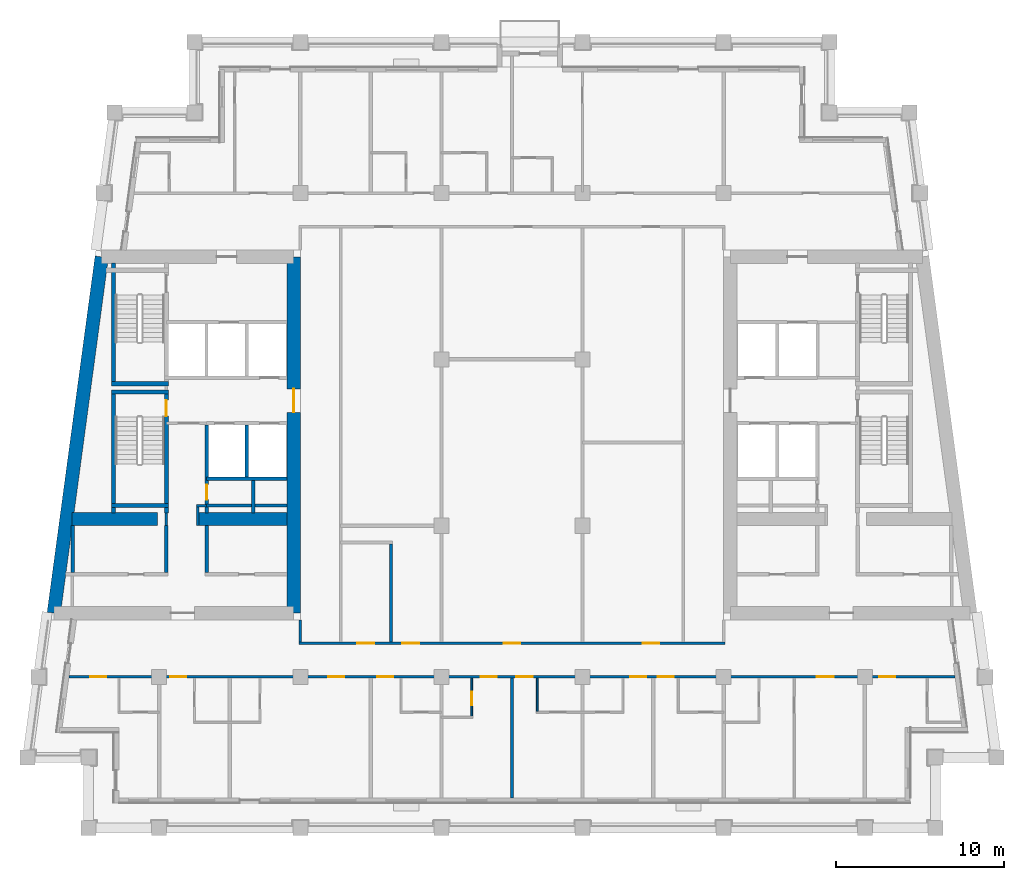
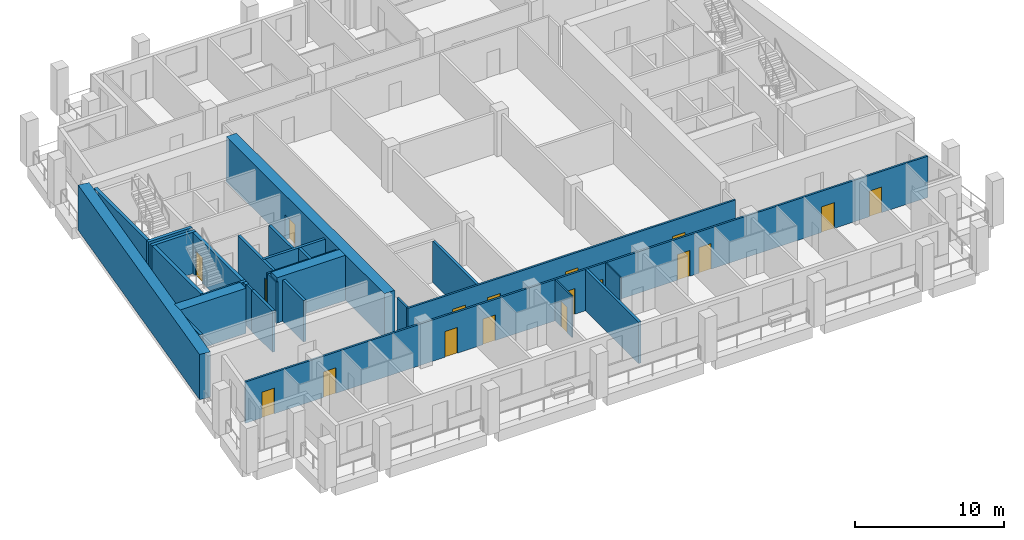
# One storey, part 3 of 12: 28 walls, 18 doors, 18 openings.
"""IFC4 building model written with IfcOpenShell, lengths in metres."""

from ifc_helpers import new_model, si_unit, direction, frame, frame_2d, origin, place, context, subcontext, project, spatial, rectangle, extrude, material, layer, layer_set, type_object, element, fill, save


model = new_model("IFC4")

# Units and contexts
model_context = context("Model", 3, precision=1e-05, world=origin(), true_north=direction((0.0, 1.0)))
body_context = subcontext(model_context, "Body", "Model", "MODEL_VIEW")
ifc_project = project(units=[si_unit("LENGTHUNIT", "METRE"), si_unit("AREAUNIT", "SQUARE_METRE"), si_unit("VOLUMEUNIT", "CUBIC_METRE"), si_unit("PLANEANGLEUNIT", "RADIAN"), si_unit("MASSUNIT", "GRAM", prefix="KILO")], contexts=[model_context])

# Site, building, storey
site_placement = place(None, origin())
site = spatial("IfcSite", under=ifc_project, at=site_placement, CompositionType="ELEMENT")
building_placement = place(site_placement, origin())
building = spatial("IfcBuilding", under=site, at=building_placement, Name="Candeia Pilgrim Tower and Theatre", CompositionType="ELEMENT")
storey_placement = place(building_placement, frame((0.0, 0.0, 213.300048828125)))
storey = spatial("IfcBuildingStorey", under=building, at=storey_placement, Name="L51", CompositionType="ELEMENT", Elevation=213.300048828125)

# Wall, opening, door
ifc_material_1 = material(Name="Concrete C50/60", Category="concrete")
ifc_layer_1 = layer(ifc_material_1, 0.800048828125)
ifc_layer_set_1 = layer_set([ifc_layer_1], Name="Core wall 800 C50/60")
wall_type_1 = type_object("IfcWallType", Name="Core wall 800 C50/60", PredefinedType="SHEAR", material=ifc_layer_set_1)
wall_1_placement = place(storey_placement, frame((100.39990234375, 132.0, 0.0), z_axis=(0.0, 0.0, 1.0), x_axis=(0.0, -1.0, 0.0)))
wall_1 = element("IfcWall", 1, at=wall_1_placement, inside=storey, type_object=wall_type_1, Name="Core wall W2", PredefinedType="SHEAR", context=body_context, shape_type="SweptSolid", body=[
    extrude(rectangle(XDim=21.199951171875, YDim=0.800048828125, at=frame_2d((10.60009765625, 0.0))), origin(), (0.0, 0.0, 1.0), 3.699951171875),
])
opening_1_placement = place(wall_1_placement, frame((7.85009765625, 0.0, 0.0)))
opening_1 = element("IfcOpeningElement", 2, at=opening_1_placement, cuts=wall_1, Name="Opening L51-D055", PredefinedType="OPENING", context=body_context, shape_type="SweptSolid", body=[
    extrude(rectangle(XDim=1.39990234375, YDim=2.10009765625, at=frame_2d((0.699951171875, 1.050048828125))), frame((0.0, 0.41015625, 0.0), z_axis=(0.0, -1.0, 0.0), x_axis=(1.0, 0.0, 0.0)), (0.0, 0.0, 1.0), 0.820068359375),
])
ifc_material_2 = material(Name="Steel fire door set", Category="steel")
door_type_1 = type_object("IfcDoorType", Name="D-1400-FD60", OperationType="NOTDEFINED", PredefinedType="DOOR", material=ifc_material_2)
door_1_placement = place(opening_1_placement, origin())
door_1 = element("IfcDoor", 3, at=door_1_placement, inside=storey, type_object=door_type_1, Name="Door L51-D055", OperationType="SINGLE_SWING_RIGHT", OverallHeight=2.10009765625, OverallWidth=1.39990234375, PredefinedType="DOOR", context=body_context, shape_type="SweptSolid", body=[
    extrude(rectangle(XDim=1.39990234375, YDim=2.10009765625, at=frame_2d((0.699951171875, 1.050048828125))), frame((0.0, 0.02490234375, 0.0), z_axis=(0.0, -1.0, 0.0), x_axis=(1.0, 0.0, 0.0)), (0.0, 0.0, 1.0), 0.050048828125),
])
fill(opening_1, door_1)

# Walls
wall_2_placement = place(storey_placement, frame((86.126708984375, 110.800048828125, 0.0), z_axis=(0.0, 0.0, 1.0), x_axis=(0.133408347329, 0.991061154956, 0.0)))
element("IfcWall", 4, at=wall_2_placement, inside=storey, type_object=wall_type_1, Name="Core wall W4", PredefinedType="SHEAR", context=body_context, shape_type="SweptSolid", body=[
    extrude(rectangle(XDim=21.39111328125, YDim=0.800048828125, at=frame_2d((10.695556640625, 0.0))), origin(), (0.0, 0.0, 1.0), 3.699951171875),
])
wall_3_placement = place(storey_placement, frame((87.22314453125, 116.39990234375, 0.0), z_axis=(0.0, 0.0, 1.0), x_axis=(1.0, 0.0, 0.0)))
element("IfcWall", 5, at=wall_3_placement, inside=storey, type_object=wall_type_1, Name="Core wall W5", PredefinedType="SHEAR", context=body_context, shape_type="SweptSolid", body=[
    extrude(rectangle(XDim=5.076904296875, YDim=0.800048828125, at=frame_2d((2.53857421875, 0.0))), origin(), (0.0, 0.0, 1.0), 3.699951171875),
])
wall_4_placement = place(storey_placement, frame((94.699951171875, 116.39990234375, 0.0), z_axis=(0.0, 0.0, 1.0), x_axis=(1.0, 0.0, 0.0)))
element("IfcWall", 6, at=wall_4_placement, inside=storey, type_object=wall_type_1, Name="Core wall W6", PredefinedType="SHEAR", context=body_context, shape_type="SweptSolid", body=[
    extrude(rectangle(XDim=5.300048828125, YDim=0.800048828125, at=frame_2d((2.64990234375, 0.0))), origin(), (0.0, 0.0, 1.0), 3.699951171875),
])

# Wall, opening, door
ifc_material_3 = material(Name="Gypsum board partition on steel studs", Category="steel")
ifc_layer_2 = layer(ifc_material_3, 0.10009765625)
ifc_layer_set_2 = layer_set([ifc_layer_2], Name="PW-100 room partition")
wall_type_2 = type_object("IfcWallType", Name="PW-100 room partition", PredefinedType="PARTITIONING", material=ifc_layer_set_2)
wall_5_placement = place(storey_placement, frame((111.0, 104.64990234375, 0.0), z_axis=(0.0, 0.0, 1.0), x_axis=(0.0, 1.0, 0.0)))
wall_5 = element("IfcWall", 7, at=wall_5_placement, inside=storey, type_object=wall_type_2, Name="Room partition L51-084", PredefinedType="PARTITIONING", context=body_context, shape_type="SweptSolid", body=[
    extrude(rectangle(XDim=2.275146484375, YDim=0.10009765625, at=frame_2d((1.1376953125, 0.0))), origin(), (0.0, 0.0, 1.0), 3.3798828125),
])
opening_2_placement = place(wall_5_placement, frame((0.659912109375, 0.0, 0.0)))
opening_2 = element("IfcOpeningElement", 8, at=opening_2_placement, cuts=wall_5, Name="Opening L51-D022", PredefinedType="OPENING", context=body_context, shape_type="SweptSolid", body=[
    extrude(rectangle(XDim=0.800048828125, YDim=2.10009765625, at=frame_2d((0.39990234375, 1.050048828125))), frame((0.0, 0.06005859375, 0.0), z_axis=(0.0, -1.0, 0.0), x_axis=(1.0, 0.0, 0.0)), (0.0, 0.0, 1.0), 0.1201171875),
])
ifc_material_4 = material(Name="Timber door leaf", Category="wood")
door_type_2 = type_object("IfcDoorType", Name="D-800", OperationType="NOTDEFINED", PredefinedType="DOOR", material=ifc_material_4)
door_2_placement = place(opening_2_placement, origin())
door_2 = element("IfcDoor", 9, at=door_2_placement, inside=storey, type_object=door_type_2, Name="Door L51-D022", OperationType="SINGLE_SWING_LEFT", OverallHeight=2.10009765625, OverallWidth=0.800048828125, PredefinedType="DOOR", context=body_context, shape_type="SweptSolid", body=[
    extrude(rectangle(XDim=0.800048828125, YDim=2.10009765625, at=frame_2d((0.39990234375, 1.050048828125))), frame((0.0, 0.02490234375, 0.0), z_axis=(0.0, -1.0, 0.0), x_axis=(1.0, 0.0, 0.0)), (0.0, 0.0, 1.0), 0.050048828125),
])
fill(opening_2, door_2)

# Walls
wall_6_placement = place(storey_placement, frame((114.89990234375, 104.949951171875, 0.0), z_axis=(0.0, 0.0, 1.0), x_axis=(0.0, 1.0, 0.0)))
element("IfcWall", 10, at=wall_6_placement, inside=storey, type_object=wall_type_2, Name="Room partition L51-088", PredefinedType="PARTITIONING", context=body_context, shape_type="SweptSolid", body=[
    extrude(rectangle(XDim=1.97509765625, YDim=0.10009765625, at=frame_2d((0.987548828125, 0.0))), origin(), (0.0, 0.0, 1.0), 3.3798828125),
])
ifc_layer_3 = layer(ifc_material_3, 0.14990234375)
ifc_layer_set_3 = layer_set([ifc_layer_3], Name="PW-150 lobby wall")
wall_type_3 = type_object("IfcWallType", Name="PW-150 lobby wall", PredefinedType="PARTITIONING", material=ifc_layer_set_3)
wall_7_placement = place(storey_placement, frame((94.625, 117.199951171875, 0.0), z_axis=(0.0, 0.0, 1.0), x_axis=(1.0, 0.0, 0.0)))
element("IfcWall", 11, at=wall_7_placement, inside=storey, type_object=wall_type_3, Name="Lobby wall L51-019", PredefinedType="PARTITIONING", context=body_context, shape_type="SweptSolid", body=[
    extrude(rectangle(XDim=0.60205078125, YDim=0.14990234375, at=frame_2d((0.301025390625, 0.0))), origin(), (0.0, 0.0, 1.0), 3.3798828125),
])
wall_8_placement = place(storey_placement, frame((92.826904296875, 116.0, 0.0), z_axis=(0.0, 0.0, 1.0), x_axis=(0.0, 1.0, 0.0)))
element("IfcWall", 12, at=wall_8_placement, inside=storey, type_object=wall_type_3, Name="Lobby wall L51-056", PredefinedType="PARTITIONING", context=body_context, shape_type="SweptSolid", body=[
    extrude(rectangle(XDim=0.77001953125, YDim=0.14990234375, at=frame_2d((0.385009765625, 0.0))), origin(), (0.0, 0.0, 1.0), 3.3798828125),
])
wall_9_placement = place(storey_placement, frame((94.699951171875, 116.0, 0.0), z_axis=(0.0, 0.0, 1.0), x_axis=(0.0, 1.0, 0.0)))
element("IfcWall", 13, at=wall_9_placement, inside=storey, type_object=wall_type_3, Name="Lobby wall L51-062", PredefinedType="PARTITIONING", context=body_context, shape_type="SweptSolid", body=[
    extrude(rectangle(XDim=1.125, YDim=0.14990234375, at=frame_2d((0.5625, 0.0))), origin(), (0.0, 0.0, 1.0), 3.3798828125),
])

# Wall, openings, doors
ifc_layer_4 = layer(ifc_material_3, 0.14990234375)
ifc_layer_set_4 = layer_set([ifc_layer_4], Name="PW-150 unit wall")
wall_type_4 = type_object("IfcWallType", Name="PW-150 unit wall", PredefinedType="PARTITIONING", material=ifc_layer_set_4)
wall_10_placement = place(storey_placement, frame((87.017578125, 107.0, 0.0), z_axis=(0.0, 0.0, 1.0), x_axis=(1.0, 0.0, 0.0)))
wall_10 = element("IfcWall", 14, at=wall_10_placement, inside=storey, type_object=wall_type_4, Name="Unit wall L51-009", PredefinedType="PARTITIONING", context=body_context, shape_type="SweptSolid", body=[
    extrude(rectangle(XDim=52.7646484375, YDim=0.14990234375, at=frame_2d((26.38232421875, 0.0))), origin(), (0.0, 0.0, 1.0), 3.3798828125),
])
opening_3_placement = place(wall_10_placement, frame((1.2763671875, 0.0, 0.0)))
opening_3 = element("IfcOpeningElement", 15, at=opening_3_placement, cuts=wall_10, Name="Opening L51-D013", PredefinedType="OPENING", context=body_context, shape_type="SweptSolid", body=[
    extrude(rectangle(XDim=0.949951171875, YDim=2.10009765625, at=frame_2d((0.47509765625, 1.050048828125))), frame((0.0, 0.0849609375, 0.0), z_axis=(0.0, -1.0, 0.0), x_axis=(1.0, 0.0, 0.0)), (0.0, 0.0, 1.0), 0.169921875),
])
opening_4_placement = place(wall_10_placement, frame((6.0341796875, 0.0, 0.0)))
opening_4 = element("IfcOpeningElement", 16, at=opening_4_placement, cuts=wall_10, Name="Opening L51-D015", PredefinedType="OPENING", context=body_context, shape_type="SweptSolid", body=[
    extrude(rectangle(XDim=0.949951171875, YDim=2.10009765625, at=frame_2d((0.47509765625, 1.050048828125))), frame((0.0, 0.0849609375, 0.0), z_axis=(0.0, -1.0, 0.0), x_axis=(1.0, 0.0, 0.0)), (0.0, 0.0, 1.0), 0.169921875),
])
opening_5_placement = place(wall_10_placement, frame((15.4453125, 0.0, 0.0)))
opening_5 = element("IfcOpeningElement", 17, at=opening_5_placement, cuts=wall_10, Name="Opening L51-D017", PredefinedType="OPENING", context=body_context, shape_type="SweptSolid", body=[
    extrude(rectangle(XDim=0.949951171875, YDim=2.10009765625, at=frame_2d((0.47509765625, 1.050048828125))), frame((0.0, 0.0849609375, 0.0), z_axis=(0.0, -1.0, 0.0), x_axis=(1.0, 0.0, 0.0)), (0.0, 0.0, 1.0), 0.169921875),
])
opening_6_placement = place(wall_10_placement, frame((18.369384765625, 0.0, 0.0)))
opening_6 = element("IfcOpeningElement", 18, at=opening_6_placement, cuts=wall_10, Name="Opening L51-D019", PredefinedType="OPENING", context=body_context, shape_type="SweptSolid", body=[
    extrude(rectangle(XDim=0.949951171875, YDim=2.10009765625, at=frame_2d((0.47509765625, 1.050048828125))), frame((0.0, 0.0849609375, 0.0), z_axis=(0.0, -1.0, 0.0), x_axis=(1.0, 0.0, 0.0)), (0.0, 0.0, 1.0), 0.169921875),
])
opening_7_placement = place(wall_10_placement, frame((24.519287109375, 0.0, 0.0)))
opening_7 = element("IfcOpeningElement", 19, at=opening_7_placement, cuts=wall_10, Name="Opening L51-D021", PredefinedType="OPENING", context=body_context, shape_type="SweptSolid", body=[
    extrude(rectangle(XDim=0.949951171875, YDim=2.10009765625, at=frame_2d((0.47509765625, 1.050048828125))), frame((0.0, 0.0849609375, 0.0), z_axis=(0.0, -1.0, 0.0), x_axis=(1.0, 0.0, 0.0)), (0.0, 0.0, 1.0), 0.169921875),
])
opening_8_placement = place(wall_10_placement, frame((26.63232421875, 0.0, 0.0)))
opening_8 = element("IfcOpeningElement", 20, at=opening_8_placement, cuts=wall_10, Name="Opening L51-D023", PredefinedType="OPENING", context=body_context, shape_type="SweptSolid", body=[
    extrude(rectangle(XDim=1.0, YDim=2.10009765625, at=frame_2d((0.5, 1.050048828125))), frame((0.0, 0.0849609375, 0.0), z_axis=(0.0, -1.0, 0.0), x_axis=(1.0, 0.0, 0.0)), (0.0, 0.0, 1.0), 0.169921875),
])
opening_9_placement = place(wall_10_placement, frame((33.42236328125, 0.0, 0.0)))
opening_9 = element("IfcOpeningElement", 21, at=opening_9_placement, cuts=wall_10, Name="Opening L51-D025", PredefinedType="OPENING", context=body_context, shape_type="SweptSolid", body=[
    extrude(rectangle(XDim=0.949951171875, YDim=2.10009765625, at=frame_2d((0.47509765625, 1.050048828125))), frame((0.0, 0.0849609375, 0.0), z_axis=(0.0, -1.0, 0.0), x_axis=(1.0, 0.0, 0.0)), (0.0, 0.0, 1.0), 0.169921875),
])
opening_10_placement = place(wall_10_placement, frame((35.057373046875, 0.0, 0.0)))
opening_10 = element("IfcOpeningElement", 22, at=opening_10_placement, cuts=wall_10, Name="Opening L51-D027", PredefinedType="OPENING", context=body_context, shape_type="SweptSolid", body=[
    extrude(rectangle(XDim=0.949951171875, YDim=2.10009765625, at=frame_2d((0.47509765625, 1.050048828125))), frame((0.0, 0.0849609375, 0.0), z_axis=(0.0, -1.0, 0.0), x_axis=(1.0, 0.0, 0.0)), (0.0, 0.0, 1.0), 0.169921875),
])
opening_11_placement = place(wall_10_placement, frame((44.5322265625, 0.0, 0.0)))
opening_11 = element("IfcOpeningElement", 23, at=opening_11_placement, cuts=wall_10, Name="Opening L51-D029", PredefinedType="OPENING", context=body_context, shape_type="SweptSolid", body=[
    extrude(rectangle(XDim=1.0, YDim=2.10009765625, at=frame_2d((0.5, 1.050048828125))), frame((0.0, 0.0849609375, 0.0), z_axis=(0.0, -1.0, 0.0), x_axis=(1.0, 0.0, 0.0)), (0.0, 0.0, 1.0), 0.169921875),
])
opening_12_placement = place(wall_10_placement, frame((48.249267578125, 0.0, 0.0)))
opening_12 = element("IfcOpeningElement", 24, at=opening_12_placement, cuts=wall_10, Name="Opening L51-D032", PredefinedType="OPENING", context=body_context, shape_type="SweptSolid", body=[
    extrude(rectangle(XDim=0.949951171875, YDim=2.10009765625, at=frame_2d((0.47509765625, 1.050048828125))), frame((0.0, 0.0849609375, 0.0), z_axis=(0.0, -1.0, 0.0), x_axis=(1.0, 0.0, 0.0)), (0.0, 0.0, 1.0), 0.169921875),
])
door_type_3 = type_object("IfcDoorType", Name="D-1000-FD30S", OperationType="NOTDEFINED", PredefinedType="DOOR", material=ifc_material_2)
door_3_placement = place(opening_8_placement, origin())
door_3 = element("IfcDoor", 25, at=door_3_placement, inside=storey, type_object=door_type_3, Name="Door L51-D023", OperationType="SINGLE_SWING_RIGHT", OverallHeight=2.10009765625, OverallWidth=1.0, PredefinedType="DOOR", context=body_context, shape_type="SweptSolid", body=[
    extrude(rectangle(XDim=1.0, YDim=2.10009765625, at=frame_2d((0.5, 1.050048828125))), frame((0.0, 0.02490234375, 0.0), z_axis=(0.0, -1.0, 0.0), x_axis=(1.0, 0.0, 0.0)), (0.0, 0.0, 1.0), 0.050048828125),
])
fill(opening_8, door_3)
door_4_placement = place(opening_11_placement, origin())
door_4 = element("IfcDoor", 26, at=door_4_placement, inside=storey, type_object=door_type_3, Name="Door L51-D029", OperationType="SINGLE_SWING_RIGHT", OverallHeight=2.10009765625, OverallWidth=1.0, PredefinedType="DOOR", context=body_context, shape_type="SweptSolid", body=[
    extrude(rectangle(XDim=1.0, YDim=2.10009765625, at=frame_2d((0.5, 1.050048828125))), frame((0.0, 0.02490234375, 0.0), z_axis=(0.0, -1.0, 0.0), x_axis=(1.0, 0.0, 0.0)), (0.0, 0.0, 1.0), 0.050048828125),
])
fill(opening_11, door_4)
door_type_4 = type_object("IfcDoorType", Name="D-950-FD30S", OperationType="NOTDEFINED", PredefinedType="DOOR", material=ifc_material_2)
door_5_placement = place(opening_3_placement, origin())
door_5 = element("IfcDoor", 27, at=door_5_placement, inside=storey, type_object=door_type_4, Name="Door L51-D013", OperationType="SINGLE_SWING_RIGHT", OverallHeight=2.10009765625, OverallWidth=0.949951171875, PredefinedType="DOOR", context=body_context, shape_type="SweptSolid", body=[
    extrude(rectangle(XDim=0.949951171875, YDim=2.10009765625, at=frame_2d((0.47509765625, 1.050048828125))), frame((0.0, 0.02490234375, 0.0), z_axis=(0.0, -1.0, 0.0), x_axis=(1.0, 0.0, 0.0)), (0.0, 0.0, 1.0), 0.050048828125),
])
fill(opening_3, door_5)
door_6_placement = place(opening_4_placement, origin())
door_6 = element("IfcDoor", 28, at=door_6_placement, inside=storey, type_object=door_type_4, Name="Door L51-D015", OperationType="SINGLE_SWING_RIGHT", OverallHeight=2.10009765625, OverallWidth=0.949951171875, PredefinedType="DOOR", context=body_context, shape_type="SweptSolid", body=[
    extrude(rectangle(XDim=0.949951171875, YDim=2.10009765625, at=frame_2d((0.47509765625, 1.050048828125))), frame((0.0, 0.02490234375, 0.0), z_axis=(0.0, -1.0, 0.0), x_axis=(1.0, 0.0, 0.0)), (0.0, 0.0, 1.0), 0.050048828125),
])
fill(opening_4, door_6)
door_7_placement = place(opening_5_placement, origin())
door_7 = element("IfcDoor", 29, at=door_7_placement, inside=storey, type_object=door_type_4, Name="Door L51-D017", OperationType="SINGLE_SWING_RIGHT", OverallHeight=2.10009765625, OverallWidth=0.949951171875, PredefinedType="DOOR", context=body_context, shape_type="SweptSolid", body=[
    extrude(rectangle(XDim=0.949951171875, YDim=2.10009765625, at=frame_2d((0.47509765625, 1.050048828125))), frame((0.0, 0.02490234375, 0.0), z_axis=(0.0, -1.0, 0.0), x_axis=(1.0, 0.0, 0.0)), (0.0, 0.0, 1.0), 0.050048828125),
])
fill(opening_5, door_7)
door_8_placement = place(opening_6_placement, origin())
door_8 = element("IfcDoor", 30, at=door_8_placement, inside=storey, type_object=door_type_4, Name="Door L51-D019", OperationType="SINGLE_SWING_RIGHT", OverallHeight=2.10009765625, OverallWidth=0.949951171875, PredefinedType="DOOR", context=body_context, shape_type="SweptSolid", body=[
    extrude(rectangle(XDim=0.949951171875, YDim=2.10009765625, at=frame_2d((0.47509765625, 1.050048828125))), frame((0.0, 0.02490234375, 0.0), z_axis=(0.0, -1.0, 0.0), x_axis=(1.0, 0.0, 0.0)), (0.0, 0.0, 1.0), 0.050048828125),
])
fill(opening_6, door_8)
door_9_placement = place(opening_7_placement, origin())
door_9 = element("IfcDoor", 31, at=door_9_placement, inside=storey, type_object=door_type_4, Name="Door L51-D021", OperationType="SINGLE_SWING_RIGHT", OverallHeight=2.10009765625, OverallWidth=0.949951171875, PredefinedType="DOOR", context=body_context, shape_type="SweptSolid", body=[
    extrude(rectangle(XDim=0.949951171875, YDim=2.10009765625, at=frame_2d((0.47509765625, 1.050048828125))), frame((0.0, 0.02490234375, 0.0), z_axis=(0.0, -1.0, 0.0), x_axis=(1.0, 0.0, 0.0)), (0.0, 0.0, 1.0), 0.050048828125),
])
fill(opening_7, door_9)
door_10_placement = place(opening_9_placement, origin())
door_10 = element("IfcDoor", 32, at=door_10_placement, inside=storey, type_object=door_type_4, Name="Door L51-D025", OperationType="SINGLE_SWING_RIGHT", OverallHeight=2.10009765625, OverallWidth=0.949951171875, PredefinedType="DOOR", context=body_context, shape_type="SweptSolid", body=[
    extrude(rectangle(XDim=0.949951171875, YDim=2.10009765625, at=frame_2d((0.47509765625, 1.050048828125))), frame((0.0, 0.02490234375, 0.0), z_axis=(0.0, -1.0, 0.0), x_axis=(1.0, 0.0, 0.0)), (0.0, 0.0, 1.0), 0.050048828125),
])
fill(opening_9, door_10)
door_11_placement = place(opening_10_placement, origin())
door_11 = element("IfcDoor", 33, at=door_11_placement, inside=storey, type_object=door_type_4, Name="Door L51-D027", OperationType="SINGLE_SWING_RIGHT", OverallHeight=2.10009765625, OverallWidth=0.949951171875, PredefinedType="DOOR", context=body_context, shape_type="SweptSolid", body=[
    extrude(rectangle(XDim=0.949951171875, YDim=2.10009765625, at=frame_2d((0.47509765625, 1.050048828125))), frame((0.0, 0.02490234375, 0.0), z_axis=(0.0, -1.0, 0.0), x_axis=(1.0, 0.0, 0.0)), (0.0, 0.0, 1.0), 0.050048828125),
])
fill(opening_10, door_11)
door_12_placement = place(opening_12_placement, origin())
door_12 = element("IfcDoor", 34, at=door_12_placement, inside=storey, type_object=door_type_4, Name="Door L51-D032", OperationType="SINGLE_SWING_LEFT", OverallHeight=2.10009765625, OverallWidth=0.949951171875, PredefinedType="DOOR", context=body_context, shape_type="SweptSolid", body=[
    extrude(rectangle(XDim=0.949951171875, YDim=2.10009765625, at=frame_2d((0.47509765625, 1.050048828125))), frame((0.0, 0.02490234375, 0.0), z_axis=(0.0, -1.0, 0.0), x_axis=(1.0, 0.0, 0.0)), (0.0, 0.0, 1.0), 0.050048828125),
])
fill(opening_12, door_12)

wall_11_placement = place(storey_placement, frame((100.72509765625, 109.0, 0.0), z_axis=(0.0, 0.0, 1.0), x_axis=(1.0, 0.0, 0.0)))
wall_11 = element("IfcWall", 35, at=wall_11_placement, inside=storey, type_object=wall_type_4, Name="Unit wall L51-010", PredefinedType="PARTITIONING", context=body_context, shape_type="SweptSolid", body=[
    extrude(rectangle(XDim=25.349853515625, YDim=0.14990234375, at=frame_2d((12.6748046875, 0.0))), origin(), (0.0, 0.0, 1.0), 3.3798828125),
])
opening_13_placement = place(wall_11_placement, frame((6.14990234375, 0.0, 0.0)))
opening_13 = element("IfcOpeningElement", 36, at=opening_13_placement, cuts=wall_11, Name="Opening L51-D046", PredefinedType="OPENING", context=body_context, shape_type="SweptSolid", body=[
    extrude(rectangle(XDim=1.0, YDim=2.10009765625, at=frame_2d((0.5, 1.050048828125))), frame((0.0, 0.0849609375, 0.0), z_axis=(0.0, -1.0, 0.0), x_axis=(1.0, 0.0, 0.0)), (0.0, 0.0, 1.0), 0.169921875),
])
opening_14_placement = place(wall_11_placement, frame((3.47509765625, 0.0, 0.0)))
opening_14 = element("IfcOpeningElement", 37, at=opening_14_placement, cuts=wall_11, Name="Opening L51-D047", PredefinedType="OPENING", context=body_context, shape_type="SweptSolid", body=[
    extrude(rectangle(XDim=1.0, YDim=2.10009765625, at=frame_2d((0.5, 1.050048828125))), frame((0.0, 0.0849609375, 0.0), z_axis=(0.0, -1.0, 0.0), x_axis=(1.0, 0.0, 0.0)), (0.0, 0.0, 1.0), 0.169921875),
])
opening_15_placement = place(wall_11_placement, frame((12.175048828125, 0.0, 0.0)))
opening_15 = element("IfcOpeningElement", 38, at=opening_15_placement, cuts=wall_11, Name="Opening L51-D049", PredefinedType="OPENING", context=body_context, shape_type="SweptSolid", body=[
    extrude(rectangle(XDim=1.0, YDim=2.10009765625, at=frame_2d((0.5, 1.050048828125))), frame((0.0, 0.0849609375, 0.0), z_axis=(0.0, -1.0, 0.0), x_axis=(1.0, 0.0, 0.0)), (0.0, 0.0, 1.0), 0.169921875),
])
opening_16_placement = place(wall_11_placement, frame((20.449951171875, 0.0, 0.0)))
opening_16 = element("IfcOpeningElement", 39, at=opening_16_placement, cuts=wall_11, Name="Opening L51-D051", PredefinedType="OPENING", context=body_context, shape_type="SweptSolid", body=[
    extrude(rectangle(XDim=1.0, YDim=2.10009765625, at=frame_2d((0.5, 1.050048828125))), frame((0.0, 0.0849609375, 0.0), z_axis=(0.0, -1.0, 0.0), x_axis=(1.0, 0.0, 0.0)), (0.0, 0.0, 1.0), 0.169921875),
])
door_13_placement = place(opening_13_placement, origin())
door_13 = element("IfcDoor", 40, at=door_13_placement, inside=storey, type_object=door_type_3, Name="Door L51-D046", OperationType="SINGLE_SWING_LEFT", OverallHeight=2.10009765625, OverallWidth=1.0, PredefinedType="DOOR", context=body_context, shape_type="SweptSolid", body=[
    extrude(rectangle(XDim=1.0, YDim=2.10009765625, at=frame_2d((0.5, 1.050048828125))), frame((0.0, 0.02490234375, 0.0), z_axis=(0.0, -1.0, 0.0), x_axis=(1.0, 0.0, 0.0)), (0.0, 0.0, 1.0), 0.050048828125),
])
fill(opening_13, door_13)
door_14_placement = place(opening_14_placement, origin())
door_14 = element("IfcDoor", 41, at=door_14_placement, inside=storey, type_object=door_type_3, Name="Door L51-D047", OperationType="SINGLE_SWING_RIGHT", OverallHeight=2.10009765625, OverallWidth=1.0, PredefinedType="DOOR", context=body_context, shape_type="SweptSolid", body=[
    extrude(rectangle(XDim=1.0, YDim=2.10009765625, at=frame_2d((0.5, 1.050048828125))), frame((0.0, 0.02490234375, 0.0), z_axis=(0.0, -1.0, 0.0), x_axis=(1.0, 0.0, 0.0)), (0.0, 0.0, 1.0), 0.050048828125),
])
fill(opening_14, door_14)
door_15_placement = place(opening_15_placement, origin())
door_15 = element("IfcDoor", 42, at=door_15_placement, inside=storey, type_object=door_type_3, Name="Door L51-D049", OperationType="SINGLE_SWING_RIGHT", OverallHeight=2.10009765625, OverallWidth=1.0, PredefinedType="DOOR", context=body_context, shape_type="SweptSolid", body=[
    extrude(rectangle(XDim=1.0, YDim=2.10009765625, at=frame_2d((0.5, 1.050048828125))), frame((0.0, 0.02490234375, 0.0), z_axis=(0.0, -1.0, 0.0), x_axis=(1.0, 0.0, 0.0)), (0.0, 0.0, 1.0), 0.050048828125),
])
fill(opening_15, door_15)
door_16_placement = place(opening_16_placement, origin())
door_16 = element("IfcDoor", 43, at=door_16_placement, inside=storey, type_object=door_type_3, Name="Door L51-D051", OperationType="SINGLE_SWING_RIGHT", OverallHeight=2.10009765625, OverallWidth=1.0, PredefinedType="DOOR", context=body_context, shape_type="SweptSolid", body=[
    extrude(rectangle(XDim=1.0, YDim=2.10009765625, at=frame_2d((0.5, 1.050048828125))), frame((0.0, 0.02490234375, 0.0), z_axis=(0.0, -1.0, 0.0), x_axis=(1.0, 0.0, 0.0)), (0.0, 0.0, 1.0), 0.050048828125),
])
fill(opening_16, door_16)

# Walls
wall_12_placement = place(storey_placement, frame((100.800048828125, 109.074951171875, 0.0), z_axis=(0.0, 0.0, 1.0), x_axis=(0.0, 1.0, 0.0)))
element("IfcWall", 44, at=wall_12_placement, inside=storey, type_object=wall_type_4, Name="Unit wall L51-073", PredefinedType="PARTITIONING", context=body_context, shape_type="SweptSolid", body=[
    extrude(rectangle(XDim=1.324951171875, YDim=0.14990234375, at=frame_2d((0.66259765625, 0.0))), origin(), (0.0, 0.0, 1.0), 3.3798828125),
])
ifc_layer_5 = layer(ifc_material_3, 0.199951171875)
ifc_layer_set_5 = layer_set([ifc_layer_5], Name="PW-200 party wall")
wall_type_5 = type_object("IfcWallType", Name="PW-200 party wall", PredefinedType="PARTITIONING", material=ifc_layer_set_5)
wall_13_placement = place(storey_placement, frame((106.199951171875, 109.074951171875, 0.0), z_axis=(0.0, 0.0, 1.0), x_axis=(0.0, 1.0, 0.0)))
element("IfcWall", 45, at=wall_13_placement, inside=storey, type_object=wall_type_5, Name="Party wall L51-078", PredefinedType="PARTITIONING", context=body_context, shape_type="SweptSolid", body=[
    extrude(rectangle(XDim=5.824951171875, YDim=0.199951171875, at=frame_2d((2.91259765625, 0.0))), origin(), (0.0, 0.0, 1.0), 3.3798828125),
])
wall_14_placement = place(storey_placement, frame((113.39990234375, 99.7900390625, 0.0), z_axis=(0.0, 0.0, 1.0), x_axis=(0.0, 1.0, 0.0)))
element("IfcWall", 46, at=wall_14_placement, inside=storey, type_object=wall_type_5, Name="Party wall L51-086", PredefinedType="PARTITIONING", context=body_context, shape_type="SweptSolid", body=[
    extrude(rectangle(XDim=7.135009765625, YDim=0.199951171875, at=frame_2d((3.5673828125, 0.0))), origin(), (0.0, 0.0, 1.0), 3.3798828125),
])
ifc_material_5 = material(Name="Concrete C40/50", Category="concrete")
ifc_layer_6 = layer(ifc_material_5, 0.199951171875)
ifc_layer_set_6 = layer_set([ifc_layer_6], Name="SW-200 shaft wall")
wall_type_6 = type_object("IfcWallType", Name="SW-200 shaft wall", PredefinedType="PARTITIONING", material=ifc_layer_set_6)
for number, where, z_axis, x_axis, name in (
    (47, (95.22705078125, 117.199951171875, 0.0), (0.0, 0.0, 1.0), (1.0, 0.0, 0.0), "Shaft wall L51-017"),
    (48, (95.22705078125, 118.800048828125, 0.0), (0.0, 0.0, 1.0), (1.0, 0.0, 0.0), "Shaft wall L51-023"),
):
    element("IfcWall", number, at=place(storey_placement, frame(where, z_axis=z_axis, x_axis=x_axis)), inside=storey, type_object=wall_type_6, Name=name, PredefinedType="PARTITIONING", context=body_context, shape_type="SweptSolid", body=[
        extrude(rectangle(XDim=4.77294921875, YDim=0.199951171875, at=frame_2d((2.386474609375, 0.0))), origin(), (0.0, 0.0, 1.0), 3.3798828125),
    ])
for number, where, z_axis, x_axis, name in (
    (49, (87.24951171875, 113.199951171875, 0.0), (0.0, 0.0, 1.0), (0.0, 1.0, 0.0), "Shaft wall L51-049"),
    (50, (92.826904296875, 113.199951171875, 0.0), (0.0, 0.0, 1.0), (0.0, 1.0, 0.0), "Shaft wall L51-055"),
    (51, (95.22705078125, 113.199951171875, 0.0), (0.0, 0.0, 1.0), (0.0, 1.0, 0.0), "Shaft wall L51-064"),
):
    element("IfcWall", number, at=place(storey_placement, frame(where, z_axis=z_axis, x_axis=x_axis)), inside=storey, type_object=wall_type_6, Name=name, PredefinedType="PARTITIONING", context=body_context, shape_type="SweptSolid", body=[
        extrude(rectangle(XDim=2.800048828125, YDim=0.199951171875, at=frame_2d((1.39990234375, 0.0))), origin(), (0.0, 0.0, 1.0), 3.3798828125),
    ])

# Wall, opening, door
wall_15_placement = place(storey_placement, frame((95.22705078125, 116.77001953125, 0.0), z_axis=(0.0, 0.0, 1.0), x_axis=(0.0, 1.0, 0.0)))
wall_15 = element("IfcWall", 52, at=wall_15_placement, inside=storey, type_object=wall_type_6, Name="Shaft wall L51-065", PredefinedType="PARTITIONING", context=body_context, shape_type="SweptSolid", body=[
    extrude(rectangle(XDim=5.22998046875, YDim=0.199951171875, at=frame_2d((2.614990234375, 0.0))), origin(), (0.0, 0.0, 1.0), 3.3798828125),
])
opening_17_placement = place(wall_15_placement, frame((0.780029296875, 0.0, 0.0)))
opening_17 = element("IfcOpeningElement", 53, at=opening_17_placement, cuts=wall_15, Name="Opening L51-D004", PredefinedType="OPENING", context=body_context, shape_type="SweptSolid", body=[
    extrude(rectangle(XDim=0.89990234375, YDim=2.10009765625, at=frame_2d((0.449951171875, 1.050048828125))), frame((0.0, 0.10986328125, 0.0), z_axis=(0.0, -1.0, 0.0), x_axis=(1.0, 0.0, 0.0)), (0.0, 0.0, 1.0), 0.219970703125),
])
door_type_5 = type_object("IfcDoorType", Name="D-900-FD60", OperationType="NOTDEFINED", PredefinedType="DOOR", material=ifc_material_2)
door_17_placement = place(opening_17_placement, origin())
door_17 = element("IfcDoor", 54, at=door_17_placement, inside=storey, type_object=door_type_5, Name="Door L51-D004", OperationType="SINGLE_SWING_LEFT", OverallHeight=2.10009765625, OverallWidth=0.89990234375, PredefinedType="DOOR", context=body_context, shape_type="SweptSolid", body=[
    extrude(rectangle(XDim=0.89990234375, YDim=2.10009765625, at=frame_2d((0.449951171875, 1.050048828125))), frame((0.0, 0.02490234375, 0.0), z_axis=(0.0, -1.0, 0.0), x_axis=(1.0, 0.0, 0.0)), (0.0, 0.0, 1.0), 0.050048828125),
])
fill(opening_17, door_17)

# Walls
wall_16_placement = place(storey_placement, frame((97.613525390625, 118.89990234375, 0.0), z_axis=(0.0, 0.0, 1.0), x_axis=(0.0, 1.0, 0.0)))
element("IfcWall", 55, at=wall_16_placement, inside=storey, type_object=wall_type_6, Name="Shaft wall L51-069", PredefinedType="PARTITIONING", context=body_context, shape_type="SweptSolid", body=[
    extrude(rectangle(XDim=3.10009765625, YDim=0.199951171875, at=frame_2d((1.550048828125, 0.0))), origin(), (0.0, 0.0, 1.0), 3.3798828125),
])
wall_17_placement = place(storey_placement, frame((98.0, 116.77001953125, 0.0), z_axis=(0.0, 0.0, 1.0), x_axis=(0.0, 1.0, 0.0)))
element("IfcWall", 56, at=wall_17_placement, inside=storey, type_object=wall_type_6, Name="Shaft wall L51-070", PredefinedType="PARTITIONING", context=body_context, shape_type="SweptSolid", body=[
    extrude(rectangle(XDim=1.929931640625, YDim=0.199951171875, at=frame_2d((0.96484375, 0.0))), origin(), (0.0, 0.0, 1.0), 3.3798828125),
])
ifc_layer_7 = layer(ifc_material_5, 0.25)
ifc_layer_set_7 = layer_set([ifc_layer_7], Name="SW-250 stair wall")
wall_type_7 = type_object("IfcWallType", Name="SW-250 stair wall", PredefinedType="PARTITIONING", material=ifc_layer_set_7)
for number, where, z_axis, x_axis, name in (
    (57, (89.552001953125, 117.199951171875, 0.0), (0.0, 0.0, 1.0), (1.0, 0.0, 0.0), "Stair wall L51-021"),
    (58, (89.552001953125, 123.949951171875, 0.0), (0.0, 0.0, 1.0), (1.0, 0.0, 0.0), "Stair wall L51-030"),
    (59, (89.552001953125, 124.449951171875, 0.0), (0.0, 0.0, 1.0), (1.0, 0.0, 0.0), "Stair wall L51-032"),
):
    element("IfcWall", number, at=place(storey_placement, frame(where, z_axis=z_axis, x_axis=x_axis)), inside=storey, type_object=wall_type_7, Name=name, PredefinedType="PARTITIONING", context=body_context, shape_type="SweptSolid", body=[
        extrude(rectangle(XDim=3.39990234375, YDim=0.25, at=frame_2d((1.699951171875, 0.0))), origin(), (0.0, 0.0, 1.0), 3.3798828125),
    ])
for number, where, z_axis, x_axis, name in (
    (60, (89.677001953125, 116.77001953125, 0.0), (0.0, 0.0, 1.0), (0.0, 1.0, 0.0), "Stair wall L51-051"),
    (61, (89.677001953125, 124.574951171875, 0.0), (0.0, 0.0, 1.0), (0.0, 1.0, 0.0), "Stair wall L51-052"),
):
    element("IfcWall", number, at=place(storey_placement, frame(where, z_axis=z_axis, x_axis=x_axis)), inside=storey, type_object=wall_type_7, Name=name, PredefinedType="PARTITIONING", context=body_context, shape_type="SweptSolid", body=[
        extrude(rectangle(XDim=7.054931640625, YDim=0.25, at=frame_2d((3.52734375, 0.0))), origin(), (0.0, 0.0, 1.0), 3.3798828125),
    ])

# Wall, opening, door
wall_18_placement = place(storey_placement, frame((92.826904296875, 116.77001953125, 0.0), z_axis=(0.0, 0.0, 1.0), x_axis=(0.0, 1.0, 0.0)))
wall_18 = element("IfcWall", 62, at=wall_18_placement, inside=storey, type_object=wall_type_7, Name="Stair wall L51-058", PredefinedType="PARTITIONING", context=body_context, shape_type="SweptSolid", body=[
    extrude(rectangle(XDim=7.054931640625, YDim=0.25, at=frame_2d((3.52734375, 0.0))), origin(), (0.0, 0.0, 1.0), 3.3798828125),
])
opening_18_placement = place(wall_18_placement, frame((5.7548828125, 0.0, 0.0)))
opening_18 = element("IfcOpeningElement", 63, at=opening_18_placement, cuts=wall_18, Name="Opening L51-D002", PredefinedType="OPENING", context=body_context, shape_type="SweptSolid", body=[
    extrude(rectangle(XDim=0.949951171875, YDim=2.10009765625, at=frame_2d((0.47509765625, 1.050048828125))), frame((0.0, 0.135009765625, 0.0), z_axis=(0.0, -1.0, 0.0), x_axis=(1.0, 0.0, 0.0)), (0.0, 0.0, 1.0), 0.27001953125),
])
door_type_6 = type_object("IfcDoorType", Name="D-950-FD60", OperationType="NOTDEFINED", PredefinedType="DOOR", material=ifc_material_2)
door_18_placement = place(opening_18_placement, origin())
door_18 = element("IfcDoor", 64, at=door_18_placement, inside=storey, type_object=door_type_6, Name="Door L51-D002", OperationType="SINGLE_SWING_LEFT", OverallHeight=2.10009765625, OverallWidth=0.949951171875, PredefinedType="DOOR", context=body_context, shape_type="SweptSolid", body=[
    extrude(rectangle(XDim=0.949951171875, YDim=2.10009765625, at=frame_2d((0.47509765625, 1.050048828125))), frame((0.0, 0.02490234375, 0.0), z_axis=(0.0, -1.0, 0.0), x_axis=(1.0, 0.0, 0.0)), (0.0, 0.0, 1.0), 0.050048828125),
])
fill(opening_18, door_18)

save(model, "model.ifc")
